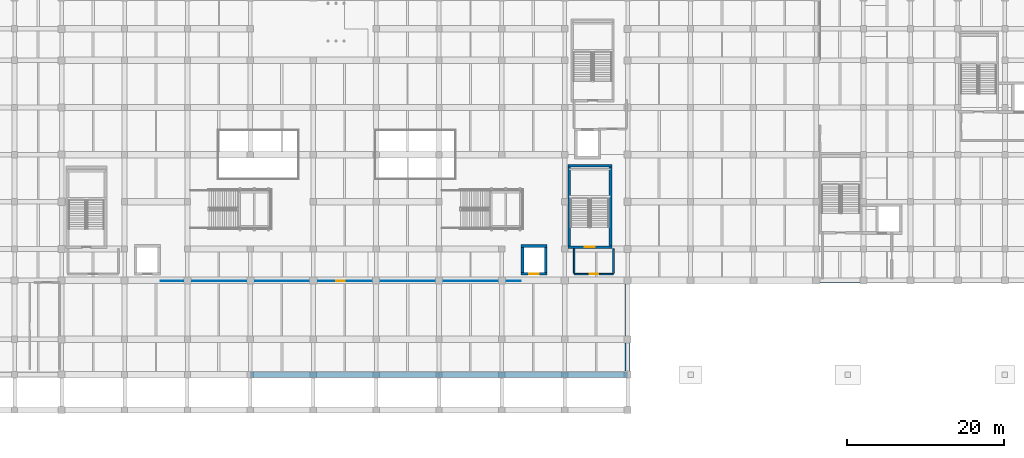
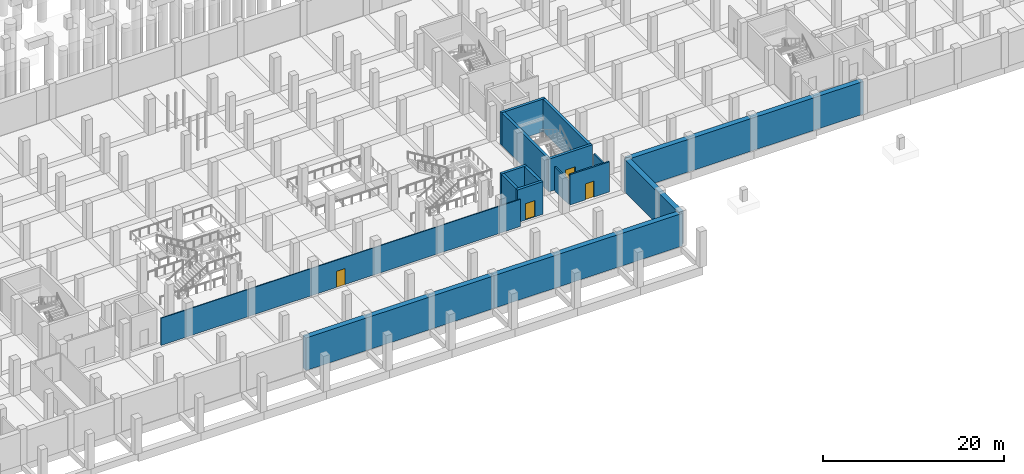
# One storey, part 22 of 36: 16 walls, 4 doors, 4 openings.
"""IFC4 building model written with IfcOpenShell, lengths in metres."""

from ifc_helpers import new_model, si_unit, direction, frame, frame_2d, origin, place, context, subcontext, project, spatial, rectangle, extrude, material, layer, layer_set, type_object, element, fill, save


model = new_model("IFC4")

# Units and contexts
model_context = context("Model", 3, precision=1e-05, world=origin(), true_north=direction((0.0, 1.0)))
body_context = subcontext(model_context, "Body", "Model", "MODEL_VIEW")
ifc_project = project(units=[si_unit("LENGTHUNIT", "METRE"), si_unit("AREAUNIT", "SQUARE_METRE"), si_unit("VOLUMEUNIT", "CUBIC_METRE"), si_unit("PLANEANGLEUNIT", "RADIAN"), si_unit("MASSUNIT", "GRAM", prefix="KILO")], contexts=[model_context])

# Site, building, storey
site_placement = place(None, origin())
site = spatial("IfcSite", under=ifc_project, at=site_placement, CompositionType="ELEMENT")
building_placement = place(site_placement, origin())
building = spatial("IfcBuilding", under=site, at=building_placement, Name="Verrall Gate Interchange", CompositionType="ELEMENT")
storey_placement = place(building_placement, frame((0.0, 0.0, -4.800048828125)))
storey = spatial("IfcBuildingStorey", under=building, at=storey_placement, Name="B1", CompositionType="ELEMENT", Elevation=-4.800048828125)

# Wall, opening, door
ifc_material_1 = material(Name="Fire-Rated Type X Gypsum Stud Partition Assembly (60 min)", Category="gypsum")
ifc_layer_1 = layer(ifc_material_1, 0.199951171875)
ifc_layer_set_1 = layer_set([ifc_layer_1], Name="Fire-Rated Type X Gypsum Stud Partition Assembly (60 min)")
wall_type_1 = type_object("IfcWallType", Name="IW-01 Interior Partition Wall 200", PredefinedType="PARTITIONING", material=ifc_layer_set_1)
wall_1_placement = place(storey_placement, frame((101.199951171875, 12.800048828125, 0.0), z_axis=(0.0, 0.0, 1.0), x_axis=(1.0, 0.0, 0.0)))
wall_1 = element("IfcWall", 1, at=wall_1_placement, inside=storey, type_object=wall_type_1, Name="B1 Core C6 Lobby South Rated Wall", PredefinedType="PARTITIONING", context=body_context, shape_type="SweptSolid", body=[
    extrude(rectangle(XDim=5.0, YDim=0.199951171875, at=frame_2d((2.5, 0.0))), origin(), (0.0, 0.0, 1.0), 4.0771484375),
])
opening_1_placement = place(wall_1_placement, frame((1.949951171875, 0.0, 0.0)))
opening_1 = element("IfcOpeningElement", 2, at=opening_1_placement, cuts=wall_1, Name="Opening LBD076", PredefinedType="OPENING", context=body_context, shape_type="SweptSolid", body=[
    extrude(rectangle(XDim=1.10009765625, YDim=2.14990234375, at=frame_2d((0.550048828125, 1.074951171875))), frame((0.0, 0.11474609375, 0.0), z_axis=(0.0, -1.0, 0.0), x_axis=(1.0, 0.0, 0.0)), (0.0, 0.0, 1.0), 0.229736328125),
])
ifc_material_2 = material(Name="Hollow-Metal Fire-Rated Door Assembly", Category="metal")
door_type_1 = type_object("IfcDoorType", Name="ID-06 Interior Swing Door 1100x2150", OperationType="NOTDEFINED", PredefinedType="DOOR", material=ifc_material_2)
door_1_placement = place(opening_1_placement, origin())
door_1 = element("IfcDoor", 3, at=door_1_placement, inside=storey, type_object=door_type_1, Name="B1 Core C6 Lobby Fire Door LBD076", OperationType="SINGLE_SWING_RIGHT", OverallHeight=2.14990234375, OverallWidth=1.10009765625, PredefinedType="DOOR", context=body_context, shape_type="SweptSolid", body=[
    extrude(rectangle(XDim=1.10009765625, YDim=2.14990234375, at=frame_2d((0.550048828125, 1.074951171875))), frame((0.0, 0.02490234375, 0.0), z_axis=(0.0, -1.0, 0.0), x_axis=(1.0, 0.0, 0.0)), (0.0, 0.0, 1.0), 0.050048828125),
])
fill(opening_1, door_1)

# Walls
for number, where, z_axis, x_axis, name in (
    (4, (101.199951171875, 16.0, 0.0), (0.0, 0.0, 1.0), (0.0, -1.0, 0.0), "B1 Core C6 Lobby West Rated Wall"),
    (5, (106.199951171875, 12.8798828125, 0.0), (0.0, 0.0, 1.0), (0.0, 1.0, 0.0), "B1 Core C6 Lobby East Rated Wall"),
):
    element("IfcWall", number, at=place(storey_placement, frame(where, z_axis=z_axis, x_axis=x_axis)), inside=storey, type_object=wall_type_1, Name=name, PredefinedType="PARTITIONING", context=body_context, shape_type="SweptSolid", body=[
        extrude(rectangle(XDim=3.1201171875, YDim=0.199951171875, at=frame_2d((1.56005859375, 0.0))), origin(), (0.0, 0.0, 1.0), 3.179931640625),
    ])

# Wall, opening, door
ifc_material_3 = material(Name="Acoustic Steel-Stud Partition Assembly", Category="steel")
ifc_layer_2 = layer(ifc_material_3, 0.1201171875)
ifc_layer_set_2 = layer_set([ifc_layer_2], Name="Acoustic Steel-Stud Partition Assembly")
wall_type_2 = type_object("IfcWallType", Name="IW-04 Interior Partition Wall 120", PredefinedType="PARTITIONING", material=ifc_layer_set_2)
wall_2_placement = place(storey_placement, frame((48.578125, 11.919921875, 0.0), z_axis=(0.0, 0.0, 1.0), x_axis=(1.0, 0.0, 0.0)))
wall_2 = element("IfcWall", 6, at=wall_2_placement, inside=storey, type_object=wall_type_2, Name="B1 South Subgrade Concourse Retail Arcade Partition 010", PredefinedType="PARTITIONING", context=body_context, shape_type="SweptSolid", body=[
    extrude(rectangle(XDim=45.793701171875, YDim=0.1201171875, at=frame_2d((22.89697265625, 0.0))), origin(), (0.0, 0.0, 1.0), 3.6689453125),
])
opening_2_placement = place(wall_2_placement, frame((22.356689453125, 0.0, 0.0)))
opening_2 = element("IfcOpeningElement", 7, at=opening_2_placement, cuts=wall_2, Name="Opening D010", PredefinedType="OPENING", context=body_context, shape_type="SweptSolid", body=[
    extrude(rectangle(XDim=1.080078125, YDim=2.14990234375, at=frame_2d((0.5400390625, 1.074951171875))), frame((0.0, 0.074951171875, 0.0), z_axis=(0.0, -1.0, 0.0), x_axis=(1.0, 0.0, 0.0)), (0.0, 0.0, 1.0), 0.14990234375),
])
ifc_material_4 = material(Name="Architectural Solid-Core Birch Acoustic Door Assembly", Category="wood")
door_type_2 = type_object("IfcDoorType", Name="ID-13 Interior Swing Door 1080x2150", OperationType="NOTDEFINED", PredefinedType="DOOR", material=ifc_material_4)
door_2_placement = place(opening_2_placement, origin())
door_2 = element("IfcDoor", 8, at=door_2_placement, inside=storey, type_object=door_type_2, Name="B1 South Subgrade Concourse Retail Arcade Door D010", OperationType="SINGLE_SWING_LEFT", OverallHeight=2.14990234375, OverallWidth=1.080078125, PredefinedType="DOOR", context=body_context, shape_type="SweptSolid", body=[
    extrude(rectangle(XDim=1.080078125, YDim=2.14990234375, at=frame_2d((0.5400390625, 1.074951171875))), frame((0.0, 0.02490234375, 0.0), z_axis=(0.0, -1.0, 0.0), x_axis=(1.0, 0.0, 0.0)), (0.0, 0.0, 1.0), 0.050048828125),
])
fill(opening_2, door_2)

# Walls
ifc_material_5 = material(Name="Concrete CSA A23.1 35 MPa (Class S-2)", Category="concrete")
ifc_layer_3 = layer(ifc_material_5, 0.659912109375)
ifc_layer_set_3 = layer_set([ifc_layer_3], Name="Concrete CSA A23.1 35 MPa (Class S-2)")
wall_type_3 = type_object("IfcWallType", Name="RW-02 Diaphragm Retaining Wall 660", PredefinedType="USERDEFINED", material=ifc_layer_set_3)
for number, where, z_axis, x_axis, name in (
    (9, (60.0, 0.0, 0.0), (0.0, 0.0, 1.0), (1.0, 0.0, 0.0), "B1 Diaphragm Retaining Wall 028"),
    (10, (84.0, 0.0, 0.0), (0.0, 0.0, 1.0), (1.0, 0.0, 0.0), "B1 Diaphragm Retaining Wall 029"),
):
    element("IfcWall", number, at=place(storey_placement, frame(where, z_axis=z_axis, x_axis=x_axis)), inside=storey, type_object=wall_type_3, Name=name, ObjectType="RETAININGWALL", PredefinedType="USERDEFINED", context=body_context, shape_type="SweptSolid", body=[
        extrude(rectangle(XDim=24.0, YDim=0.659912109375, at=frame_2d((12.0, 0.0))), origin(), (0.0, 0.0, 1.0), 4.400146484375),
    ])
wall_3_placement = place(storey_placement, frame((108.0, 0.0, 0.0), z_axis=(0.0, 0.0, 1.0), x_axis=(0.0, 1.0, 0.0)))
element("IfcWall", 11, at=wall_3_placement, inside=storey, type_object=wall_type_3, Name="B1 Diaphragm Retaining Wall 030", ObjectType="RETAININGWALL", PredefinedType="USERDEFINED", context=body_context, shape_type="SweptSolid", body=[
    extrude(rectangle(XDim=12.0, YDim=0.659912109375, at=frame_2d((6.0, 0.0))), origin(), (0.0, 0.0, 1.0), 4.400146484375),
])
wall_4_placement = place(storey_placement, frame((108.0, 12.0, 0.0), z_axis=(0.0, 0.0, 1.0), x_axis=(1.0, 0.0, 0.0)))
element("IfcWall", 12, at=wall_4_placement, inside=storey, type_object=wall_type_3, Name="B1 Diaphragm Retaining Wall 031", ObjectType="RETAININGWALL", PredefinedType="USERDEFINED", context=body_context, shape_type="SweptSolid", body=[
    extrude(rectangle(XDim=30.0, YDim=0.659912109375, at=frame_2d((15.0, 0.0))), origin(), (0.0, 0.0, 1.0), 4.400146484375),
])

# Wall, opening, door
ifc_material_6 = material(Name="Concrete CSA A23.1 40 MPa (Class N)", Category="concrete")
ifc_layer_4 = layer(ifc_material_6, 0.340087890625)
ifc_layer_set_4 = layer_set([ifc_layer_4], Name="Concrete CSA A23.1 40 MPa (Class N)")
wall_type_4 = type_object("IfcWallType", Name="SW-02 Core Shear Wall 340", PredefinedType="SHEAR", material=ifc_layer_set_4)
wall_5_placement = place(storey_placement, frame((100.39990234375, 16.22998046875, 0.0), z_axis=(0.0, 0.0, 1.0), x_axis=(1.0, 0.0, 0.0)))
wall_5 = element("IfcWall", 13, at=wall_5_placement, inside=storey, type_object=wall_type_4, Name="B1 Core C6 South Shear Wall", PredefinedType="SHEAR", context=body_context, shape_type="SweptSolid", body=[
    extrude(rectangle(XDim=5.580078125, YDim=0.340087890625, at=frame_2d((2.7900390625, 0.0))), origin(), (0.0, 0.0, 1.0), 4.400146484375),
])
opening_3_placement = place(wall_5_placement, frame((2.1650390625, 0.0, 0.0)))
opening_3 = element("IfcOpeningElement", 14, at=opening_3_placement, cuts=wall_5, Name="Opening SD072", PredefinedType="OPENING", context=body_context, shape_type="SweptSolid", body=[
    extrude(rectangle(XDim=1.25, YDim=2.199951171875, at=frame_2d((0.625, 1.10009765625))), frame((0.0, 0.18505859375, 0.0), z_axis=(0.0, -1.0, 0.0), x_axis=(1.0, 0.0, 0.0)), (0.0, 0.0, 1.0), 0.369873046875),
])
ifc_material_7 = material(Name="Hollow-Metal Fire-Rated Door Assembly", Category="metal")
door_type_3 = type_object("IfcDoorType", Name="ID-03 Interior Swing Door 1250x2200", OperationType="NOTDEFINED", PredefinedType="DOOR", material=ifc_material_7)
door_3_placement = place(opening_3_placement, origin())
door_3 = element("IfcDoor", 15, at=door_3_placement, inside=storey, type_object=door_type_3, Name="B1 Stair ST-06 Fire Door SD072", OperationType="SINGLE_SWING_RIGHT", OverallHeight=2.199951171875, OverallWidth=1.25, PredefinedType="DOOR", context=body_context, shape_type="SweptSolid", body=[
    extrude(rectangle(XDim=1.25, YDim=2.199951171875, at=frame_2d((0.625, 1.10009765625))), frame((0.0, 0.02490234375, 0.0), z_axis=(0.0, -1.0, 0.0), x_axis=(1.0, 0.0, 0.0)), (0.0, 0.0, 1.0), 0.050048828125),
])
fill(opening_3, door_3)

# Walls
wall_6_placement = place(storey_placement, frame((105.97998046875, 26.570068359375, 0.0), z_axis=(0.0, 0.0, 1.0), x_axis=(-1.0, 0.0, 0.0)))
element("IfcWall", 16, at=wall_6_placement, inside=storey, type_object=wall_type_4, Name="B1 Core C6 North Shear Wall", PredefinedType="SHEAR", context=body_context, shape_type="SweptSolid", body=[
    extrude(rectangle(XDim=5.580078125, YDim=0.340087890625, at=frame_2d((2.7900390625, 0.0))), origin(), (0.0, 0.0, 1.0), 4.400146484375),
])
for number, where, z_axis, x_axis, name in (
    (17, (100.570068359375, 26.39990234375, 0.0), (0.0, 0.0, 1.0), (0.0, -1.0, 0.0), "B1 Core C6 West Shear Wall"),
    (18, (105.81005859375, 16.39990234375, 0.0), (0.0, 0.0, 1.0), (0.0, 1.0, 0.0), "B1 Core C6 East Shear Wall"),
):
    element("IfcWall", number, at=place(storey_placement, frame(where, z_axis=z_axis, x_axis=x_axis)), inside=storey, type_object=wall_type_4, Name=name, PredefinedType="SHEAR", context=body_context, shape_type="SweptSolid", body=[
        extrude(rectangle(XDim=10.0, YDim=0.340087890625, at=frame_2d((5.0, 0.0))), origin(), (0.0, 0.0, 1.0), 4.400146484375),
    ])

# Wall, opening, door
wall_7_placement = place(storey_placement, frame((94.4599609375, 12.830078125, 0.0), z_axis=(0.0, 0.0, 1.0), x_axis=(1.0, 0.0, 0.0)))
wall_7 = element("IfcWall", 19, at=wall_7_placement, inside=storey, type_object=wall_type_4, Name="B1 Elevator EL-04 South Shaft Wall", PredefinedType="SHEAR", context=body_context, shape_type="SweptSolid", body=[
    extrude(rectangle(XDim=3.280029296875, YDim=0.340087890625, at=frame_2d((1.64013671875, 0.0))), origin(), (0.0, 0.0, 1.0), 4.400146484375),
])
opening_4_placement = place(wall_7_placement, frame((1.0400390625, 0.0, 0.0)))
opening_4 = element("IfcOpeningElement", 20, at=opening_4_placement, cuts=wall_7, Name="Opening LD-04-B1", PredefinedType="OPENING", context=body_context, shape_type="SweptSolid", body=[
    extrude(rectangle(XDim=1.199951171875, YDim=2.199951171875, at=frame_2d((0.60009765625, 1.10009765625))), frame((0.0, 0.18505859375, 0.0), z_axis=(0.0, -1.0, 0.0), x_axis=(1.0, 0.0, 0.0)), (0.0, 0.0, 1.0), 0.369873046875),
])
ifc_material_8 = material(Name="Stainless-Steel Elevator Landing Sliding Door Assembly", Category="steel")
door_type_4 = type_object("IfcDoorType", Name="LD-02 Elevator Sliding Landing Door 1200x2200", OperationType="NOTDEFINED", PredefinedType="DOOR", material=ifc_material_8)
door_4_placement = place(opening_4_placement, origin())
door_4 = element("IfcDoor", 21, at=door_4_placement, inside=storey, type_object=door_type_4, Name="B1 Elevator EL-04 Sliding Landing Door", OperationType="DOUBLE_DOOR_SLIDING", OverallHeight=2.199951171875, OverallWidth=1.199951171875, PredefinedType="DOOR", context=body_context, shape_type="SweptSolid", body=[
    extrude(rectangle(XDim=1.199951171875, YDim=2.199951171875, at=frame_2d((0.60009765625, 1.10009765625))), frame((0.0, 0.02490234375, 0.0), z_axis=(0.0, -1.0, 0.0), x_axis=(1.0, 0.0, 0.0)), (0.0, 0.0, 1.0), 0.050048828125),
])
fill(opening_4, door_4)

# Walls
wall_8_placement = place(storey_placement, frame((97.739990234375, 16.3701171875, 0.0), z_axis=(0.0, 0.0, 1.0), x_axis=(-1.0, 0.0, 0.0)))
element("IfcWall", 22, at=wall_8_placement, inside=storey, type_object=wall_type_4, Name="B1 Elevator EL-04 North Shaft Wall", PredefinedType="SHEAR", context=body_context, shape_type="SweptSolid", body=[
    extrude(rectangle(XDim=3.280029296875, YDim=0.340087890625, at=frame_2d((1.64013671875, 0.0))), origin(), (0.0, 0.0, 1.0), 4.400146484375),
])
for number, where, z_axis, x_axis, name in (
    (23, (94.6298828125, 16.199951171875, 0.0), (0.0, 0.0, 1.0), (0.0, -1.0, 0.0), "B1 Elevator EL-04 West Shaft Wall"),
    (24, (97.570068359375, 13.0, 0.0), (0.0, 0.0, 1.0), (0.0, 1.0, 0.0), "B1 Elevator EL-04 East Shaft Wall"),
):
    element("IfcWall", number, at=place(storey_placement, frame(where, z_axis=z_axis, x_axis=x_axis)), inside=storey, type_object=wall_type_4, Name=name, PredefinedType="SHEAR", context=body_context, shape_type="SweptSolid", body=[
        extrude(rectangle(XDim=3.199951171875, YDim=0.340087890625, at=frame_2d((1.60009765625, 0.0))), origin(), (0.0, 0.0, 1.0), 4.400146484375),
    ])

save(model, "model.ifc")
